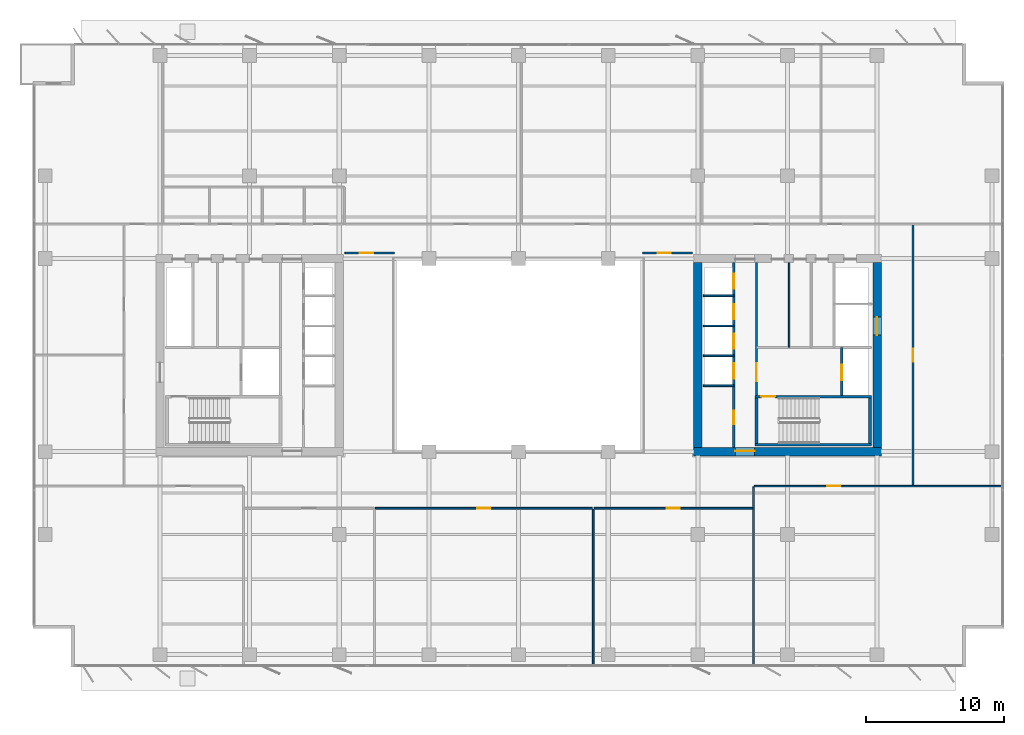
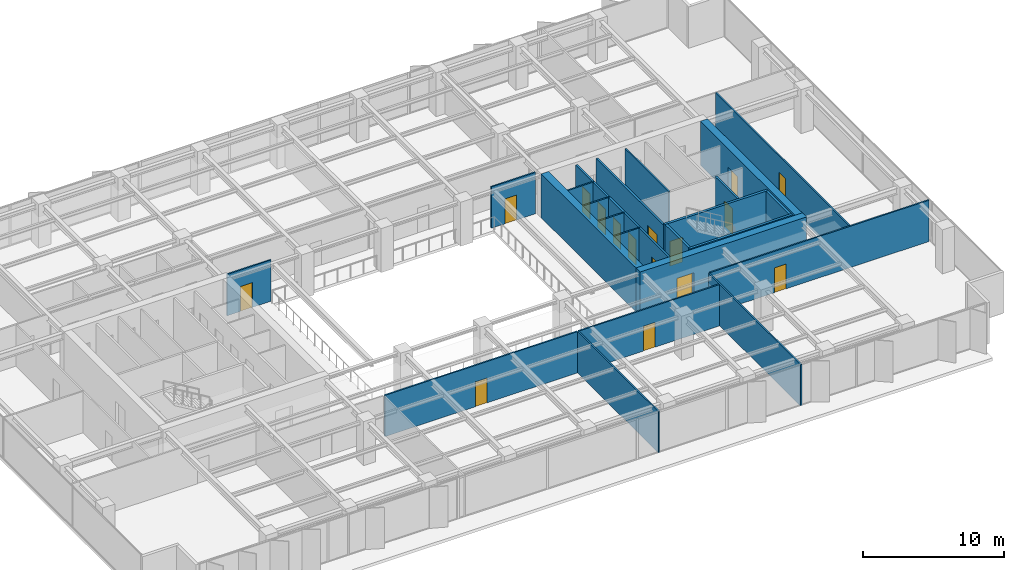
# One storey, part 16 of 22: 23 walls, 16 doors, 16 openings.
"""IFC4 building model written with IfcOpenShell, lengths in metres."""

from ifc_helpers import new_model, si_unit, direction, frame, frame_2d, origin, place, context, subcontext, project, spatial, rectangle, extrude, material, layer, layer_set, type_object, element, fill, save


model = new_model("IFC4")

# Units and contexts
model_context = context("Model", 3, precision=1e-05, world=origin(), true_north=direction((0.0, 1.0)))
body_context = subcontext(model_context, "Body", "Model", "MODEL_VIEW")
ifc_project = project(units=[si_unit("LENGTHUNIT", "METRE"), si_unit("AREAUNIT", "SQUARE_METRE"), si_unit("VOLUMEUNIT", "CUBIC_METRE"), si_unit("PLANEANGLEUNIT", "RADIAN"), si_unit("MASSUNIT", "GRAM", prefix="KILO")], contexts=[model_context])

# Site, building, storey
site_placement = place(None, origin())
site = spatial("IfcSite", under=ifc_project, at=site_placement, CompositionType="ELEMENT")
building_placement = place(site_placement, origin())
building = spatial("IfcBuilding", under=site, at=building_placement, Name="Putna Gate Headquarters", CompositionType="ELEMENT")
storey_placement = place(building_placement, frame((0.0, 0.0, 144.199951171875)))
storey = spatial("IfcBuildingStorey", under=building, at=storey_placement, Name="L35", CompositionType="ELEMENT", Elevation=144.199951171875)

# Wall, opening, door
ifc_material_1 = material(Name="Concrete C50/60", Category="concrete")
ifc_layer_1 = layer(ifc_material_1, 0.60009765625)
ifc_layer_set_1 = layer_set([ifc_layer_1], Name="Concrete C50/60")
wall_type_1 = type_object("IfcWallType", Name="WALL-CORE-600", PredefinedType="SHEAR", material=ifc_layer_set_1)
wall_1_placement = place(storey_placement, frame((51.699951171875, 19.0, 0.0), z_axis=(0.0, 0.0, 1.0), x_axis=(1.0, 0.0, 0.0)))
wall_1 = element("IfcWall", 1, at=wall_1_placement, inside=storey, type_object=wall_type_1, Name="L35 EC Split Core Shear Wall S", PredefinedType="SHEAR", context=body_context, shape_type="SweptSolid", body=[
    extrude(rectangle(XDim=13.60009765625, YDim=0.60009765625, at=frame_2d((6.800048828125, 0.0))), origin(), (0.0, 0.0, 1.0), 3.800048828125),
])
opening_1_placement = place(wall_1_placement, frame((3.02001953125, 0.0, 0.0)))
opening_1 = element("IfcOpeningElement", 2, at=opening_1_placement, cuts=wall_1, Name="Opening FDD-140", PredefinedType="OPENING", context=body_context, shape_type="SweptSolid", body=[
    extrude(rectangle(XDim=1.39990234375, YDim=2.199951171875, at=frame_2d((0.699951171875, 1.10009765625))), frame((0.0, 0.31005859375, 0.0), z_axis=(0.0, -1.0, 0.0), x_axis=(1.0, 0.0, 0.0)), (0.0, 0.0, 1.0), 0.6201171875),
])
ifc_material_2 = material(Name="Double steel fire door", Category="steel")
door_type_1 = type_object("IfcDoorType", Name="DOOR-FIRE-DBL-1400", OperationType="DOUBLE_DOOR_SINGLE_SWING", PredefinedType="DOOR", material=ifc_material_2)
door_1_placement = place(opening_1_placement, origin())
door_1 = element("IfcDoor", 3, at=door_1_placement, inside=storey, type_object=door_type_1, Name="L35 East Lift Lobby South Door", OperationType="DOUBLE_DOOR_SINGLE_SWING", OverallHeight=2.199951171875, OverallWidth=1.39990234375, PredefinedType="DOOR", context=body_context, shape_type="SweptSolid", body=[
    extrude(rectangle(XDim=1.39990234375, YDim=2.199951171875, at=frame_2d((0.699951171875, 1.10009765625))), frame((0.0, 0.0751953125, 0.0), z_axis=(0.0, -1.0, 0.0), x_axis=(1.0, 0.0, 0.0)), (0.0, 0.0, 1.0), 0.050048828125),
])
fill(opening_1, door_1)

# Wall
wall_2_placement = place(storey_placement, frame((52.0, 19.300048828125, 0.0), z_axis=(0.0, 0.0, 1.0), x_axis=(0.0, 1.0, 0.0)))
element("IfcWall", 4, at=wall_2_placement, inside=storey, type_object=wall_type_1, Name="L35 EC Split Core Shear Wall W", PredefinedType="SHEAR", context=body_context, shape_type="SweptSolid", body=[
    extrude(rectangle(XDim=13.39990234375, YDim=0.60009765625, at=frame_2d((6.699951171875, 0.0))), origin(), (0.0, 0.0, 1.0), 3.800048828125),
])

# Wall, opening, door
wall_3_placement = place(storey_placement, frame((65.0, 19.300048828125, 0.0), z_axis=(0.0, 0.0, 1.0), x_axis=(0.0, 1.0, 0.0)))
wall_3 = element("IfcWall", 5, at=wall_3_placement, inside=storey, type_object=wall_type_1, Name="L35 EC Split Core Shear Wall E", PredefinedType="SHEAR", context=body_context, shape_type="SweptSolid", body=[
    extrude(rectangle(XDim=13.39990234375, YDim=0.60009765625, at=frame_2d((6.699951171875, 0.0))), origin(), (0.0, 0.0, 1.0), 3.800048828125),
])
opening_2_placement = place(wall_3_placement, frame((8.14990234375, 0.0, 0.0)))
opening_2 = element("IfcOpeningElement", 6, at=opening_2_placement, cuts=wall_3, Name="Opening LD-2", PredefinedType="OPENING", context=body_context, shape_type="SweptSolid", body=[
    extrude(rectangle(XDim=1.300048828125, YDim=2.199951171875, at=frame_2d((0.64990234375, 1.10009765625))), frame((0.0, 0.31005859375, 0.0), z_axis=(0.0, -1.0, 0.0), x_axis=(1.0, 0.0, 0.0)), (0.0, 0.0, 1.0), 0.6201171875),
])
ifc_material_3 = material(Name="Heavy-duty goods lift sliding landing door")
door_type_2 = type_object("IfcDoorType", Name="DOOR-LIFT-1300", OperationType="DOUBLE_DOOR_SLIDING", PredefinedType="DOOR", material=ifc_material_3)
door_2_placement = place(opening_2_placement, origin())
door_2 = element("IfcDoor", 7, at=door_2_placement, inside=storey, type_object=door_type_2, Name="L35 Goods Lift Landing Door LD-15", OperationType="DOUBLE_DOOR_SLIDING", OverallHeight=2.199951171875, OverallWidth=1.300048828125, PredefinedType="DOOR", context=body_context, shape_type="SweptSolid", body=[
    extrude(rectangle(XDim=1.300048828125, YDim=2.199951171875, at=frame_2d((0.64990234375, 1.10009765625))), frame((0.0, 0.02490234375, 0.0), z_axis=(0.0, -1.0, 0.0), x_axis=(1.0, 0.0, 0.0)), (0.0, 0.0, 1.0), 0.050048828125),
])
fill(opening_2, door_2)

ifc_material_4 = material(Name="Acoustic gypsum board on metal stud")
ifc_layer_2 = layer(ifc_material_4, 0.1201171875)
ifc_layer_set_2 = layer_set([ifc_layer_2], Name="Acoustic gypsum board on metal stud")
wall_type_2 = type_object("IfcWallType", Name="WALL-PART-120", PredefinedType="PARTITIONING", material=ifc_layer_set_2)
wall_4_placement = place(storey_placement, frame((26.39990234375, 33.39990234375, 0.0), z_axis=(0.0, 0.0, 1.0), x_axis=(1.0, 0.0, 0.0)))
wall_4 = element("IfcWall", 8, at=wall_4_placement, inside=storey, type_object=wall_type_2, Name="L35 Interior Wall PART-L35-ATR-W-N", PredefinedType="PARTITIONING", context=body_context, shape_type="SweptSolid", body=[
    extrude(rectangle(XDim=3.60009765625, YDim=0.1201171875, at=frame_2d((1.800048828125, 0.0))), origin(), (0.0, 0.0, 1.0), 3.572021484375),
])
opening_3_placement = place(wall_4_placement, frame((1.10009765625, 0.0, 0.0)))
opening_3 = element("IfcOpeningElement", 9, at=opening_3_placement, cuts=wall_4, Name="Opening ID-95", PredefinedType="OPENING", context=body_context, shape_type="SweptSolid", body=[
    extrude(rectangle(XDim=0.949951171875, YDim=2.14990234375, at=frame_2d((0.47509765625, 1.074951171875))), frame((0.0, 0.070068359375, 0.0), z_axis=(0.0, -1.0, 0.0), x_axis=(1.0, 0.0, 0.0)), (0.0, 0.0, 1.0), 0.14013671875),
])
ifc_material_5 = material(Name="Veneered acoustic timber door", Category="wood")
door_type_3 = type_object("IfcDoorType", Name="DOOR-OFF-950", OperationType="NOTDEFINED", PredefinedType="DOOR", material=ifc_material_5)
door_3_placement = place(opening_3_placement, origin())
door_3 = element("IfcDoor", 10, at=door_3_placement, inside=storey, type_object=door_type_3, Name="L35 West Atrium Lounge Door", OperationType="SINGLE_SWING_LEFT", OverallHeight=2.14990234375, OverallWidth=0.949951171875, PredefinedType="DOOR", context=body_context, shape_type="SweptSolid", body=[
    extrude(rectangle(XDim=0.949951171875, YDim=2.14990234375, at=frame_2d((0.47509765625, 1.074951171875))), frame((0.0, 0.02490234375, 0.0), z_axis=(0.0, -1.0, 0.0), x_axis=(1.0, 0.0, 0.0)), (0.0, 0.0, 1.0), 0.050048828125),
])
fill(opening_3, door_3)

wall_5_placement = place(storey_placement, frame((48.0, 33.39990234375, 0.0), z_axis=(0.0, 0.0, 1.0), x_axis=(1.0, 0.0, 0.0)))
wall_5 = element("IfcWall", 11, at=wall_5_placement, inside=storey, type_object=wall_type_2, Name="L35 Interior Wall PART-L35-ATR-E-N", PredefinedType="PARTITIONING", context=body_context, shape_type="SweptSolid", body=[
    extrude(rectangle(XDim=3.60009765625, YDim=0.1201171875, at=frame_2d((1.800048828125, 0.0))), origin(), (0.0, 0.0, 1.0), 3.572021484375),
])
opening_4_placement = place(wall_5_placement, frame((1.10009765625, 0.0, 0.0)))
opening_4 = element("IfcOpeningElement", 12, at=opening_4_placement, cuts=wall_5, Name="Opening ID-95", PredefinedType="OPENING", context=body_context, shape_type="SweptSolid", body=[
    extrude(rectangle(XDim=0.949951171875, YDim=2.14990234375, at=frame_2d((0.47509765625, 1.074951171875))), frame((0.0, 0.070068359375, 0.0), z_axis=(0.0, -1.0, 0.0), x_axis=(1.0, 0.0, 0.0)), (0.0, 0.0, 1.0), 0.14013671875),
])
door_4_placement = place(opening_4_placement, origin())
door_4 = element("IfcDoor", 13, at=door_4_placement, inside=storey, type_object=door_type_3, Name="L35 East Atrium Lounge Door", OperationType="SINGLE_SWING_RIGHT", OverallHeight=2.14990234375, OverallWidth=0.949951171875, PredefinedType="DOOR", context=body_context, shape_type="SweptSolid", body=[
    extrude(rectangle(XDim=0.949951171875, YDim=2.14990234375, at=frame_2d((0.47509765625, 1.074951171875))), frame((0.0, 0.02490234375, 0.0), z_axis=(0.0, -1.0, 0.0), x_axis=(1.0, 0.0, 0.0)), (0.0, 0.0, 1.0), 0.050048828125),
])
fill(opening_4, door_4)

# Walls
wall_6_placement = place(storey_placement, frame((44.421142578125, 3.419921875, 0.0), z_axis=(0.0, 0.0, 1.0), x_axis=(0.0, 1.0, 0.0)))
element("IfcWall", 14, at=wall_6_placement, inside=storey, type_object=wall_type_2, Name="L35 Interior Wall PART-L35-SB-DIV-03", PredefinedType="PARTITIONING", context=body_context, shape_type="SweptSolid", body=[
    extrude(rectangle(XDim=11.420166015625, YDim=0.1201171875, at=frame_2d((5.7099609375, 0.0))), origin(), (0.0, 0.0, 1.0), 3.572021484375),
])
wall_7_placement = place(storey_placement, frame((56.03369140625, 3.419921875, 0.0), z_axis=(0.0, 0.0, 1.0), x_axis=(0.0, 1.0, 0.0)))
element("IfcWall", 15, at=wall_7_placement, inside=storey, type_object=wall_type_2, Name="L35 Interior Wall PART-L35-SB-DIV-04", PredefinedType="PARTITIONING", context=body_context, shape_type="SweptSolid", body=[
    extrude(rectangle(XDim=13.02001953125, YDim=0.1201171875, at=frame_2d((6.510009765625, 0.0))), origin(), (0.0, 0.0, 1.0), 3.572021484375),
])
ifc_material_6 = material(Name="Fire-rated shaftwall gypsum board on metal stud")
ifc_layer_3 = layer(ifc_material_6, 0.1201171875)
ifc_layer_set_3 = layer_set([ifc_layer_3], Name="Fire-rated shaftwall gypsum board on metal stud")
wall_type_3 = type_object("IfcWallType", Name="WALL-PART-120-EI120", PredefinedType="PARTITIONING", material=ifc_layer_set_3)
for number, where, z_axis, x_axis, name in (
    (16, (52.39990234375, 25.949951171875, 0.0), (0.0, 0.0, 1.0), (1.0, 0.0, 0.0), "L35 Interior Wall CWINT-L35-EC-LF07-DIV"),
    (17, (52.39990234375, 28.1201171875, 0.0), (0.0, 0.0, 1.0), (1.0, 0.0, 0.0), "L35 Interior Wall CWINT-L35-EC-LF08-DIV"),
    (18, (52.39990234375, 30.31005859375, 0.0), (0.0, 0.0, 1.0), (1.0, 0.0, 0.0), "L35 Interior Wall CWINT-L35-EC-LF11-DIV"),
):
    element("IfcWall", number, at=place(storey_placement, frame(where, z_axis=z_axis, x_axis=x_axis)), inside=storey, type_object=wall_type_3, Name=name, PredefinedType="PARTITIONING", context=body_context, shape_type="SweptSolid", body=[
        extrude(rectangle(XDim=2.2001953125, YDim=0.1201171875, at=frame_2d((1.10009765625, 0.0))), origin(), (0.0, 0.0, 1.0), 3.572021484375),
    ])
ifc_material_7 = material(Name="Fire-rated gypsum board on metal stud")
ifc_layer_4 = layer(ifc_material_7, 0.1201171875)
ifc_layer_set_4 = layer_set([ifc_layer_4], Name="Fire-rated gypsum board on metal stud")
wall_type_4 = type_object("IfcWallType", Name="WALL-PART-120-RATED", PredefinedType="PARTITIONING", material=ifc_layer_set_4)
wall_8_placement = place(storey_placement, frame((52.39990234375, 23.780029296875, 0.0), z_axis=(0.0, 0.0, 1.0), x_axis=(1.0, 0.0, 0.0)))
element("IfcWall", 19, at=wall_8_placement, inside=storey, type_object=wall_type_4, Name="L35 Interior Wall CWINT-L35-EC-LF04-DIV", PredefinedType="PARTITIONING", context=body_context, shape_type="SweptSolid", body=[
    extrude(rectangle(XDim=2.2001953125, YDim=0.1201171875, at=frame_2d((1.10009765625, 0.0))), origin(), (0.0, 0.0, 1.0), 3.572021484375),
])
wall_9_placement = place(storey_placement, frame((58.6201171875, 26.56005859375, 0.0), z_axis=(0.0, 0.0, 1.0), x_axis=(0.0, 1.0, 0.0)))
element("IfcWall", 20, at=wall_9_placement, inside=storey, type_object=wall_type_4, Name="L35 Interior Wall CWINT-L35-EC-K2-D1", PredefinedType="PARTITIONING", context=body_context, shape_type="SweptSolid", body=[
    extrude(rectangle(XDim=6.139892578125, YDim=0.1201171875, at=frame_2d((3.06982421875, 0.0))), origin(), (0.0, 0.0, 1.0), 3.572021484375),
])

# Wall, opening, door
wall_10_placement = place(storey_placement, frame((28.616943359375, 14.89990234375, 0.0), z_axis=(0.0, 0.0, 1.0), x_axis=(1.0, 0.0, 0.0)))
wall_10 = element("IfcWall", 21, at=wall_10_placement, inside=storey, type_object=wall_type_4, Name="L35 Interior Wall PART-L35-SB-CW-03", PredefinedType="PARTITIONING", context=body_context, shape_type="SweptSolid", body=[
    extrude(rectangle(XDim=15.744140625, YDim=0.1201171875, at=frame_2d((7.8720703125, 0.0))), origin(), (0.0, 0.0, 1.0), 3.572021484375),
])
opening_5_placement = place(wall_10_placement, frame((7.39697265625, 0.0, 0.0)))
opening_5 = element("IfcOpeningElement", 22, at=opening_5_placement, cuts=wall_10, Name="Opening FD-95", PredefinedType="OPENING", context=body_context, shape_type="SweptSolid", body=[
    extrude(rectangle(XDim=0.949951171875, YDim=2.14990234375, at=frame_2d((0.47509765625, 1.074951171875))), frame((0.0, 0.070068359375, 0.0), z_axis=(0.0, -1.0, 0.0), x_axis=(1.0, 0.0, 0.0)), (0.0, 0.0, 1.0), 0.14013671875),
])
ifc_material_8 = material(Name="Acoustic timber fire door", Category="wood")
door_type_4 = type_object("IfcDoorType", Name="DOOR-FIRE-950", OperationType="NOTDEFINED", PredefinedType="DOOR", material=ifc_material_8)
door_5_placement = place(opening_5_placement, origin())
door_5 = element("IfcDoor", 23, at=door_5_placement, inside=storey, type_object=door_type_4, Name="L35 Cellular Office 2 Door", OperationType="SINGLE_SWING_RIGHT", OverallHeight=2.14990234375, OverallWidth=0.949951171875, PredefinedType="DOOR", context=body_context, shape_type="SweptSolid", body=[
    extrude(rectangle(XDim=0.949951171875, YDim=2.14990234375, at=frame_2d((0.47509765625, 1.074951171875))), frame((0.0, 0.02490234375, 0.0), z_axis=(0.0, -1.0, 0.0), x_axis=(1.0, 0.0, 0.0)), (0.0, 0.0, 1.0), 0.050048828125),
])
fill(opening_5, door_5)

wall_11_placement = place(storey_placement, frame((44.481201171875, 14.89990234375, 0.0), z_axis=(0.0, 0.0, 1.0), x_axis=(1.0, 0.0, 0.0)))
wall_11 = element("IfcWall", 24, at=wall_11_placement, inside=storey, type_object=wall_type_4, Name="L35 Interior Wall PART-L35-SB-CW-04", PredefinedType="PARTITIONING", context=body_context, shape_type="SweptSolid", body=[
    extrude(rectangle(XDim=11.492431640625, YDim=0.1201171875, at=frame_2d((5.74609375, 0.0))), origin(), (0.0, 0.0, 1.0), 3.572021484375),
])
opening_6_placement = place(wall_11_placement, frame((5.271240234375, 0.0, 0.0)))
opening_6 = element("IfcOpeningElement", 25, at=opening_6_placement, cuts=wall_11, Name="Opening FD-95", PredefinedType="OPENING", context=body_context, shape_type="SweptSolid", body=[
    extrude(rectangle(XDim=0.949951171875, YDim=2.14990234375, at=frame_2d((0.47509765625, 1.074951171875))), frame((0.0, 0.070068359375, 0.0), z_axis=(0.0, -1.0, 0.0), x_axis=(1.0, 0.0, 0.0)), (0.0, 0.0, 1.0), 0.14013671875),
])
door_6_placement = place(opening_6_placement, origin())
door_6 = element("IfcDoor", 26, at=door_6_placement, inside=storey, type_object=door_type_4, Name="L35 Cellular Office 3 Door", OperationType="SINGLE_SWING_LEFT", OverallHeight=2.14990234375, OverallWidth=0.949951171875, PredefinedType="DOOR", context=body_context, shape_type="SweptSolid", body=[
    extrude(rectangle(XDim=0.949951171875, YDim=2.14990234375, at=frame_2d((0.47509765625, 1.074951171875))), frame((0.0, 0.02490234375, 0.0), z_axis=(0.0, -1.0, 0.0), x_axis=(1.0, 0.0, 0.0)), (0.0, 0.0, 1.0), 0.050048828125),
])
fill(opening_6, door_6)

wall_12_placement = place(storey_placement, frame((56.09375, 16.5, 0.0), z_axis=(0.0, 0.0, 1.0), x_axis=(1.0, 0.0, 0.0)))
wall_12 = element("IfcWall", 27, at=wall_12_placement, inside=storey, type_object=wall_type_4, Name="L35 Interior Wall PART-L35-SB-CW-05", PredefinedType="PARTITIONING", context=body_context, shape_type="SweptSolid", body=[
    extrude(rectangle(XDim=17.92626953125, YDim=0.1201171875, at=frame_2d((8.963134765625, 0.0))), origin(), (0.0, 0.0, 1.0), 3.572021484375),
])
opening_7_placement = place(wall_12_placement, frame((5.2783203125, 0.0, 0.0)))
opening_7 = element("IfcOpeningElement", 28, at=opening_7_placement, cuts=wall_12, Name="Opening FD-95", PredefinedType="OPENING", context=body_context, shape_type="SweptSolid", body=[
    extrude(rectangle(XDim=0.949951171875, YDim=2.14990234375, at=frame_2d((0.47509765625, 1.074951171875))), frame((0.0, 0.070068359375, 0.0), z_axis=(0.0, -1.0, 0.0), x_axis=(1.0, 0.0, 0.0)), (0.0, 0.0, 1.0), 0.14013671875),
])
door_7_placement = place(opening_7_placement, origin())
door_7 = element("IfcDoor", 29, at=door_7_placement, inside=storey, type_object=door_type_4, Name="L35 Collaborative Breakout Lounge 2 Door", OperationType="SINGLE_SWING_RIGHT", OverallHeight=2.14990234375, OverallWidth=0.949951171875, PredefinedType="DOOR", context=body_context, shape_type="SweptSolid", body=[
    extrude(rectangle(XDim=0.949951171875, YDim=2.14990234375, at=frame_2d((0.47509765625, 1.074951171875))), frame((0.0, 0.02490234375, 0.0), z_axis=(0.0, -1.0, 0.0), x_axis=(1.0, 0.0, 0.0)), (0.0, 0.0, 1.0), 0.050048828125),
])
fill(opening_7, door_7)

wall_13_placement = place(storey_placement, frame((67.60009765625, 16.5, 0.0), z_axis=(0.0, 0.0, 1.0), x_axis=(0.0, 1.0, 0.0)))
wall_13 = element("IfcWall", 30, at=wall_13_placement, inside=storey, type_object=wall_type_4, Name="L35 Interior Wall PART-L35-EW-CW-1", PredefinedType="PARTITIONING", context=body_context, shape_type="SweptSolid", body=[
    extrude(rectangle(XDim=19.0, YDim=0.1201171875, at=frame_2d((9.5, 0.0))), origin(), (0.0, 0.0, 1.0), 3.572021484375),
])
opening_8_placement = place(wall_13_placement, frame((9.02490234375, 0.0, 0.0)))
opening_8 = element("IfcOpeningElement", 31, at=opening_8_placement, cuts=wall_13, Name="Opening FD-95", PredefinedType="OPENING", context=body_context, shape_type="SweptSolid", body=[
    extrude(rectangle(XDim=0.949951171875, YDim=2.14990234375, at=frame_2d((0.47509765625, 1.074951171875))), frame((0.0, 0.070068359375, 0.0), z_axis=(0.0, -1.0, 0.0), x_axis=(1.0, 0.0, 0.0)), (0.0, 0.0, 1.0), 0.14013671875),
])
door_8_placement = place(opening_8_placement, origin())
door_8 = element("IfcDoor", 32, at=door_8_placement, inside=storey, type_object=door_type_4, Name="L35 East Advisory Office 1 Door", OperationType="SINGLE_SWING_LEFT", OverallHeight=2.14990234375, OverallWidth=0.949951171875, PredefinedType="DOOR", context=body_context, shape_type="SweptSolid", body=[
    extrude(rectangle(XDim=0.949951171875, YDim=2.14990234375, at=frame_2d((0.47509765625, 1.074951171875))), frame((0.0, 0.02490234375, 0.0), z_axis=(0.0, -1.0, 0.0), x_axis=(1.0, 0.0, 0.0)), (0.0, 0.0, 1.0), 0.050048828125),
])
fill(opening_8, door_8)

# Wall, openings, doors
ifc_material_9 = material(Name="Concrete C40/50", Category="concrete")
ifc_layer_5 = layer(ifc_material_9, 0.159912109375)
ifc_layer_set_5 = layer_set([ifc_layer_5], Name="Concrete C40/50")
wall_type_5 = type_object("IfcWallType", Name="WALL-SHAFT-160", PredefinedType="STANDARD", material=ifc_layer_set_5)
wall_14_placement = place(storey_placement, frame((54.60009765625, 19.300048828125, 0.0), z_axis=(0.0, 0.0, 1.0), x_axis=(0.0, 1.0, 0.0)))
wall_14 = element("IfcWall", 33, at=wall_14_placement, inside=storey, type_object=wall_type_5, Name="L35 Interior Wall CWINT-L35-EC-PL-WALL", PredefinedType="STANDARD", context=body_context, shape_type="SweptSolid", body=[
    extrude(rectangle(XDim=13.39990234375, YDim=0.159912109375, at=frame_2d((6.699951171875, 0.0))), origin(), (0.0, 0.0, 1.0), 3.572021484375),
])
opening_9_placement = place(wall_14_placement, frame((1.699951171875, 0.0, 0.0)))
opening_9 = element("IfcOpeningElement", 34, at=opening_9_placement, cuts=wall_14, Name="Opening IDS-95", PredefinedType="OPENING", context=body_context, shape_type="SweptSolid", body=[
    extrude(rectangle(XDim=0.949951171875, YDim=2.14990234375, at=frame_2d((0.47509765625, 1.074951171875))), frame((0.0, 0.08984375, 0.0), z_axis=(0.0, -1.0, 0.0), x_axis=(1.0, 0.0, 0.0)), (0.0, 0.0, 1.0), 0.179931640625),
])
opening_10_placement = place(wall_14_placement, frame((5.0, 0.0, 0.0)))
opening_10 = element("IfcOpeningElement", 35, at=opening_10_placement, cuts=wall_14, Name="Opening LD-1", PredefinedType="OPENING", context=body_context, shape_type="SweptSolid", body=[
    extrude(rectangle(XDim=1.10009765625, YDim=2.199951171875, at=frame_2d((0.550048828125, 1.10009765625))), frame((0.0, 0.08984375, 0.0), z_axis=(0.0, -1.0, 0.0), x_axis=(1.0, 0.0, 0.0)), (0.0, 0.0, 1.0), 0.179931640625),
])
opening_11_placement = place(wall_14_placement, frame((7.14990234375, 0.0, 0.0)))
opening_11 = element("IfcOpeningElement", 36, at=opening_11_placement, cuts=wall_14, Name="Opening LD-1", PredefinedType="OPENING", context=body_context, shape_type="SweptSolid", body=[
    extrude(rectangle(XDim=1.10009765625, YDim=2.199951171875, at=frame_2d((0.550048828125, 1.10009765625))), frame((0.0, 0.08984375, 0.0), z_axis=(0.0, -1.0, 0.0), x_axis=(1.0, 0.0, 0.0)), (0.0, 0.0, 1.0), 0.179931640625),
])
opening_12_placement = place(wall_14_placement, frame((9.300048828125, 0.0, 0.0)))
opening_12 = element("IfcOpeningElement", 37, at=opening_12_placement, cuts=wall_14, Name="Opening LD-1", PredefinedType="OPENING", context=body_context, shape_type="SweptSolid", body=[
    extrude(rectangle(XDim=1.10009765625, YDim=2.199951171875, at=frame_2d((0.550048828125, 1.10009765625))), frame((0.0, 0.08984375, 0.0), z_axis=(0.0, -1.0, 0.0), x_axis=(1.0, 0.0, 0.0)), (0.0, 0.0, 1.0), 0.179931640625),
])
opening_13_placement = place(wall_14_placement, frame((11.5, 0.0, 0.0)))
opening_13 = element("IfcOpeningElement", 38, at=opening_13_placement, cuts=wall_14, Name="Opening LD-1", PredefinedType="OPENING", context=body_context, shape_type="SweptSolid", body=[
    extrude(rectangle(XDim=1.10009765625, YDim=2.199951171875, at=frame_2d((0.550048828125, 1.10009765625))), frame((0.0, 0.08984375, 0.0), z_axis=(0.0, -1.0, 0.0), x_axis=(1.0, 0.0, 0.0)), (0.0, 0.0, 1.0), 0.179931640625),
])
ifc_material_10 = material(Name="Fire-rated service timber door", Category="wood")
door_type_5 = type_object("IfcDoorType", Name="DOOR-INT-950", OperationType="NOTDEFINED", PredefinedType="DOOR", material=ifc_material_10)
door_9_placement = place(opening_9_placement, origin())
door_9 = element("IfcDoor", 39, at=door_9_placement, inside=storey, type_object=door_type_5, Name="L35 Stationery Store Door", OperationType="SINGLE_SWING_RIGHT", OverallHeight=2.14990234375, OverallWidth=0.949951171875, PredefinedType="DOOR", context=body_context, shape_type="SweptSolid", body=[
    extrude(rectangle(XDim=0.949951171875, YDim=2.14990234375, at=frame_2d((0.47509765625, 1.074951171875))), frame((0.0, 0.02490234375, 0.0), z_axis=(0.0, -1.0, 0.0), x_axis=(1.0, 0.0, 0.0)), (0.0, 0.0, 1.0), 0.050048828125),
])
fill(opening_9, door_9)
ifc_material_11 = material(Name="Brushed bronze stainless lift landing door")
door_type_6 = type_object("IfcDoorType", Name="DOOR-LIFT-1100", OperationType="DOUBLE_DOOR_SLIDING", PredefinedType="DOOR", material=ifc_material_11)
door_10_placement = place(opening_10_placement, origin())
door_10 = element("IfcDoor", 40, at=door_10_placement, inside=storey, type_object=door_type_6, Name="L35 Lift Landing Door LD-07", OperationType="DOUBLE_DOOR_SLIDING", OverallHeight=2.199951171875, OverallWidth=1.10009765625, PredefinedType="DOOR", context=body_context, shape_type="SweptSolid", body=[
    extrude(rectangle(XDim=1.10009765625, YDim=2.199951171875, at=frame_2d((0.550048828125, 1.10009765625))), frame((0.0, 0.02490234375, 0.0), z_axis=(0.0, -1.0, 0.0), x_axis=(1.0, 0.0, 0.0)), (0.0, 0.0, 1.0), 0.050048828125),
])
fill(opening_10, door_10)
door_11_placement = place(opening_11_placement, origin())
door_11 = element("IfcDoor", 41, at=door_11_placement, inside=storey, type_object=door_type_6, Name="L35 Lift Landing Door LD-08", OperationType="DOUBLE_DOOR_SLIDING", OverallHeight=2.199951171875, OverallWidth=1.10009765625, PredefinedType="DOOR", context=body_context, shape_type="SweptSolid", body=[
    extrude(rectangle(XDim=1.10009765625, YDim=2.199951171875, at=frame_2d((0.550048828125, 1.10009765625))), frame((0.0, 0.02490234375, 0.0), z_axis=(0.0, -1.0, 0.0), x_axis=(1.0, 0.0, 0.0)), (0.0, 0.0, 1.0), 0.050048828125),
])
fill(opening_11, door_11)
door_12_placement = place(opening_12_placement, origin())
door_12 = element("IfcDoor", 42, at=door_12_placement, inside=storey, type_object=door_type_6, Name="L35 Lift Landing Door LD-11", OperationType="DOUBLE_DOOR_SLIDING", OverallHeight=2.199951171875, OverallWidth=1.10009765625, PredefinedType="DOOR", context=body_context, shape_type="SweptSolid", body=[
    extrude(rectangle(XDim=1.10009765625, YDim=2.199951171875, at=frame_2d((0.550048828125, 1.10009765625))), frame((0.0, 0.02490234375, 0.0), z_axis=(0.0, -1.0, 0.0), x_axis=(1.0, 0.0, 0.0)), (0.0, 0.0, 1.0), 0.050048828125),
])
fill(opening_12, door_12)
door_13_placement = place(opening_13_placement, origin())
door_13 = element("IfcDoor", 43, at=door_13_placement, inside=storey, type_object=door_type_6, Name="L35 Lift Landing Door LD-12", OperationType="DOUBLE_DOOR_SLIDING", OverallHeight=2.199951171875, OverallWidth=1.10009765625, PredefinedType="DOOR", context=body_context, shape_type="SweptSolid", body=[
    extrude(rectangle(XDim=1.10009765625, YDim=2.199951171875, at=frame_2d((0.550048828125, 1.10009765625))), frame((0.0, 0.02490234375, 0.0), z_axis=(0.0, -1.0, 0.0), x_axis=(1.0, 0.0, 0.0)), (0.0, 0.0, 1.0), 0.050048828125),
])
fill(opening_13, door_13)

# Wall, opening, door
wall_15_placement = place(storey_placement, frame((56.260009765625, 23.090087890625, 0.0), z_axis=(0.0, 0.0, 1.0), x_axis=(0.0, 1.0, 0.0)))
wall_15 = element("IfcWall", 44, at=wall_15_placement, inside=storey, type_object=wall_type_5, Name="L35 Interior Wall CWINT-L35-EC-LOB-E", PredefinedType="STANDARD", context=body_context, shape_type="SweptSolid", body=[
    extrude(rectangle(XDim=9.60986328125, YDim=0.159912109375, at=frame_2d((4.804931640625, 0.0))), origin(), (0.0, 0.0, 1.0), 3.572021484375),
])
opening_14_placement = place(wall_15_placement, frame((1.010009765625, 0.0, 0.0)))
opening_14 = element("IfcOpeningElement", 45, at=opening_14_placement, cuts=wall_15, Name="Opening FDD-130", PredefinedType="OPENING", context=body_context, shape_type="SweptSolid", body=[
    extrude(rectangle(XDim=1.300048828125, YDim=2.199951171875, at=frame_2d((0.64990234375, 1.10009765625))), frame((0.0, 0.08984375, 0.0), z_axis=(0.0, -1.0, 0.0), x_axis=(1.0, 0.0, 0.0)), (0.0, 0.0, 1.0), 0.179931640625),
])
ifc_material_12 = material(Name="Double steel lobby fire door", Category="steel")
door_type_7 = type_object("IfcDoorType", Name="DOOR-FIRE-DBL-1300", OperationType="DOUBLE_DOOR_SINGLE_SWING", PredefinedType="DOOR", material=ifc_material_12)
door_14_placement = place(opening_14_placement, origin())
door_14 = element("IfcDoor", 46, at=door_14_placement, inside=storey, type_object=door_type_7, Name="L35 East Firefighting Lobby Door", OperationType="DOUBLE_DOOR_SINGLE_SWING", OverallHeight=2.199951171875, OverallWidth=1.300048828125, PredefinedType="DOOR", context=body_context, shape_type="SweptSolid", body=[
    extrude(rectangle(XDim=1.300048828125, YDim=2.199951171875, at=frame_2d((0.64990234375, 1.10009765625))), frame((0.0, 0.02490234375, 0.0), z_axis=(0.0, -1.0, 0.0), x_axis=(1.0, 0.0, 0.0)), (0.0, 0.0, 1.0), 0.050048828125),
])
fill(opening_14, door_14)

wall_16_placement = place(storey_placement, frame((62.429931640625, 23.090087890625, 0.0), z_axis=(0.0, 0.0, 1.0), x_axis=(0.0, 1.0, 0.0)))
wall_16 = element("IfcWall", 47, at=wall_16_placement, inside=storey, type_object=wall_type_5, Name="L35 Interior Wall CWINT-L35-EC-LF14-W", PredefinedType="STANDARD", context=body_context, shape_type="SweptSolid", body=[
    extrude(rectangle(XDim=3.469970703125, YDim=0.159912109375, at=frame_2d((1.73486328125, 0.0))), origin(), (0.0, 0.0, 1.0), 3.572021484375),
])
opening_15_placement = place(wall_16_placement, frame((1.10009765625, 0.0, 0.0)))
opening_15 = element("IfcOpeningElement", 48, at=opening_15_placement, cuts=wall_16, Name="Opening LD-1", PredefinedType="OPENING", context=body_context, shape_type="SweptSolid", body=[
    extrude(rectangle(XDim=1.10009765625, YDim=2.199951171875, at=frame_2d((0.550048828125, 1.10009765625))), frame((0.0, 0.08984375, 0.0), z_axis=(0.0, -1.0, 0.0), x_axis=(1.0, 0.0, 0.0)), (0.0, 0.0, 1.0), 0.179931640625),
])
door_15_placement = place(opening_15_placement, origin())
door_15 = element("IfcDoor", 49, at=door_15_placement, inside=storey, type_object=door_type_6, Name="L35 Lift Landing Door LD-14", OperationType="DOUBLE_DOOR_SLIDING", OverallHeight=2.199951171875, OverallWidth=1.10009765625, PredefinedType="DOOR", context=body_context, shape_type="SweptSolid", body=[
    extrude(rectangle(XDim=1.10009765625, YDim=2.199951171875, at=frame_2d((0.550048828125, 1.10009765625))), frame((0.0, 0.02490234375, 0.0), z_axis=(0.0, -1.0, 0.0), x_axis=(1.0, 0.0, 0.0)), (0.0, 0.0, 1.0), 0.050048828125),
])
fill(opening_15, door_15)

# Wall
ifc_layer_6 = layer(ifc_material_9, 0.199951171875)
ifc_layer_set_6 = layer_set([ifc_layer_6], Name="Concrete C40/50")
wall_type_6 = type_object("IfcWallType", Name="WALL-SHAFT-RC200", PredefinedType="SHEAR", material=ifc_layer_set_6)
wall_17_placement = place(storey_placement, frame((56.159912109375, 19.510009765625, 0.0), z_axis=(0.0, 0.0, 1.0), x_axis=(1.0, 0.0, 0.0)))
element("IfcWall", 50, at=wall_17_placement, inside=storey, type_object=wall_type_6, Name="L35 Stair ST2 Structural Shaft Wall S", PredefinedType="SHEAR", context=body_context, shape_type="SweptSolid", body=[
    extrude(rectangle(XDim=8.43017578125, YDim=0.199951171875, at=frame_2d((4.215087890625, 0.0))), origin(), (0.0, 0.0, 1.0), 3.800048828125),
])

# Wall, opening, door
wall_18_placement = place(storey_placement, frame((56.159912109375, 22.989990234375, 0.0), z_axis=(0.0, 0.0, 1.0), x_axis=(1.0, 0.0, 0.0)))
wall_18 = element("IfcWall", 51, at=wall_18_placement, inside=storey, type_object=wall_type_6, Name="L35 Stair ST2 Structural Shaft Wall N", PredefinedType="SHEAR", context=body_context, shape_type="SweptSolid", body=[
    extrude(rectangle(XDim=8.43017578125, YDim=0.199951171875, at=frame_2d((4.215087890625, 0.0))), origin(), (0.0, 0.0, 1.0), 3.800048828125),
])
opening_16_placement = place(wall_18_placement, frame((0.449951171875, 0.0, 0.0)))
opening_16 = element("IfcOpeningElement", 52, at=opening_16_placement, cuts=wall_18, Name="Opening FD-100", PredefinedType="OPENING", context=body_context, shape_type="SweptSolid", body=[
    extrude(rectangle(XDim=1.0, YDim=2.14990234375, at=frame_2d((0.5, 1.074951171875))), frame((0.0, 0.10986328125, 0.0), z_axis=(0.0, -1.0, 0.0), x_axis=(1.0, 0.0, 0.0)), (0.0, 0.0, 1.0), 0.219970703125),
])
ifc_material_13 = material(Name="Powder-coated steel fire door", Category="steel")
door_type_8 = type_object("IfcDoorType", Name="DOOR-FIRE-1000", OperationType="NOTDEFINED", PredefinedType="DOOR", material=ifc_material_13)
door_16_placement = place(opening_16_placement, origin())
door_16 = element("IfcDoor", 53, at=door_16_placement, inside=storey, type_object=door_type_8, Name="L35 Stair ST2 Fire Door", OperationType="SINGLE_SWING_RIGHT", OverallHeight=2.14990234375, OverallWidth=1.0, PredefinedType="DOOR", context=body_context, shape_type="SweptSolid", body=[
    extrude(rectangle(XDim=1.0, YDim=2.14990234375, at=frame_2d((0.5, 1.074951171875))), frame((0.0, 0.02490234375, 0.0), z_axis=(0.0, -1.0, 0.0), x_axis=(1.0, 0.0, 0.0)), (0.0, 0.0, 1.0), 0.050048828125),
])
fill(opening_16, door_16)

# Walls
for number, where, z_axis, x_axis, name in (
    (54, (56.260009765625, 19.610107421875, 0.0), (0.0, 0.0, 1.0), (0.0, 1.0, 0.0), "L35 Stair ST2 Structural Shaft Wall W"),
    (55, (64.489990234375, 19.610107421875, 0.0), (0.0, 0.0, 1.0), (0.0, 1.0, 0.0), "L35 Stair ST2 Structural Shaft Wall E"),
):
    element("IfcWall", number, at=place(storey_placement, frame(where, z_axis=z_axis, x_axis=x_axis)), inside=storey, type_object=wall_type_6, Name=name, PredefinedType="SHEAR", context=body_context, shape_type="SweptSolid", body=[
        extrude(rectangle(XDim=3.27978515625, YDim=0.199951171875, at=frame_2d((1.639892578125, 0.0))), origin(), (0.0, 0.0, 1.0), 3.800048828125),
    ])

save(model, "model.ifc")
